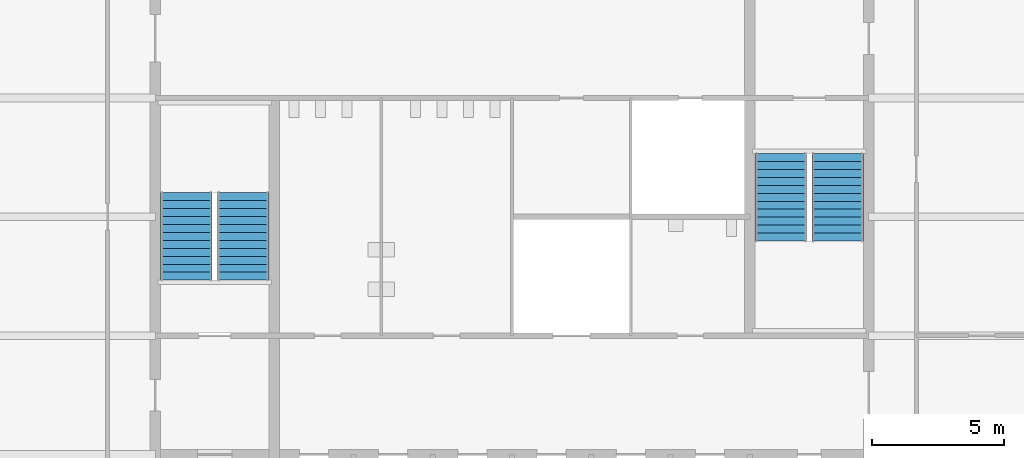
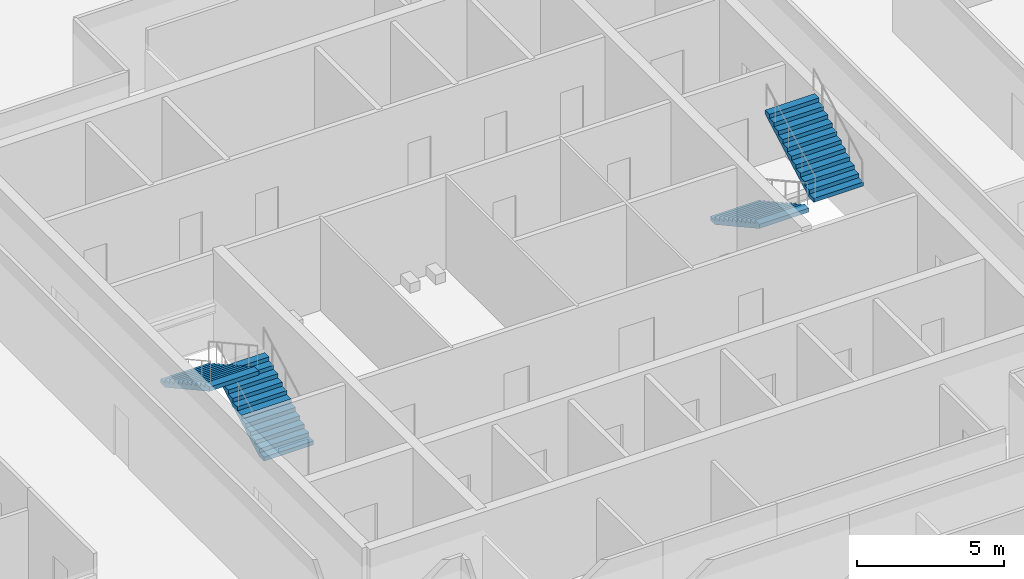
# One storey, part 12 of 14: 4 stair flights, 2 elements without a shape of their own.
"""IFC4 building model written with IfcOpenShell, lengths in metres."""

from ifc_helpers import new_model, si_unit, direction, frame, origin, place, context, subcontext, project, spatial, polyline, outline, extrude, material, type_object, element, aggregate, save


model = new_model("IFC4")

# Units and contexts
model_context = context("Model", 3, precision=1e-05, world=origin(), true_north=direction((0.0, 1.0)))
body_context = subcontext(model_context, "Body", "Model", "MODEL_VIEW")
ifc_project = project(units=[si_unit("LENGTHUNIT", "METRE"), si_unit("AREAUNIT", "SQUARE_METRE"), si_unit("VOLUMEUNIT", "CUBIC_METRE"), si_unit("PLANEANGLEUNIT", "RADIAN"), si_unit("MASSUNIT", "GRAM", prefix="KILO")], contexts=[model_context])

# Site, building, storey
site_placement = place(None, origin())
site = spatial("IfcSite", under=ifc_project, at=site_placement, CompositionType="ELEMENT")
building_placement = place(site_placement, origin())
building = spatial("IfcBuilding", under=site, at=building_placement, Name="Corais Broadcast Tower", CompositionType="ELEMENT")
storey_placement = place(building_placement, frame((0.0, 0.0, 234.60009765625)))
storey = spatial("IfcBuildingStorey", under=building, at=storey_placement, Name="L54", CompositionType="ELEMENT", Elevation=234.60009765625)

# Stair, stair flights
ifc_material_1 = material(Name="Concrete C30/37", Category="concrete")
stair_type = type_object("IfcStairType", Name="Half-turn stair 4000", PredefinedType="HALF_TURN_STAIR", material=ifc_material_1)
stair_1_placement = place(storey_placement, origin())
stair_1 = element("IfcStair", 1, at=stair_1_placement, inside=storey, type_object=stair_type, Name="Stair A L54", PredefinedType="HALF_TURN_STAIR")
ifc_material_2 = material(Name="Concrete C30/37", Category="concrete")
stair_flight_type = type_object("IfcStairFlightType", Name="Stair flight 4000", PredefinedType="STRAIGHT", material=ifc_material_2)
stair_flight_1_placement = place(storey_placement, frame((16.824951171875, 24.60009765625, 0.0), z_axis=(0.0, 0.0, 1.0), x_axis=(0.0, 1.0, 0.0)))
stair_flight_1 = element("IfcStairFlight", 2, at=stair_flight_1_placement, type_object=stair_flight_type, Name="STA flight 1", NumberOfRisers=12, NumberOfTreads=11, PredefinedType="STRAIGHT", RiserHeight=0.166666667, TreadLength=0.302, context=body_context, shape_type="SweptSolid", body=[
    extrude(outline(polyline([(0.0, 0.0), (0.0, 0.166748046875), (0.302001953125, 0.166748046875), (0.302001953125, 0.333251953125), (0.60400390625, 0.333251953125), (0.60400390625, 0.5), (0.906005859375, 0.5), (0.906005859375, 0.666748046875), (1.2080078125, 0.666748046875), (1.2080078125, 0.833251953125), (1.510009765625, 0.833251953125), (1.510009765625, 1.0), (1.81201171875, 1.0), (1.81201171875, 1.166748046875), (2.114013671875, 1.166748046875), (2.114013671875, 1.333251953125), (2.416015625, 1.333251953125), (2.416015625, 1.5), (2.718017578125, 1.5), (2.718017578125, 1.666748046875), (3.02001953125, 1.666748046875), (3.02001953125, 1.833251953125), (3.322021484375, 1.833251953125), (3.322021484375, 2.0), (3.322021484375, 1.662109375), (0.310302734375, 0.0), (0.0, 0.0)])), frame((0.0, 0.97509765625, 0.0), z_axis=(0.0, -1.0, 0.0), x_axis=(1.0, 0.0, 0.0)), (0.0, 0.0, 1.0), 1.949951171875),
])
stair_flight_2_placement = place(storey_placement, frame((14.675048828125, 27.922119140625, 2.0), z_axis=(0.0, 0.0, 1.0), x_axis=(0.0, -1.0, 0.0)))
stair_flight_2 = element("IfcStairFlight", 3, at=stair_flight_2_placement, type_object=stair_flight_type, Name="STA flight 2", NumberOfRisers=12, NumberOfTreads=11, PredefinedType="STRAIGHT", RiserHeight=0.166666667, TreadLength=0.302, context=body_context, shape_type="SweptSolid", body=[
    extrude(outline(polyline([(0.0, 0.0), (0.0, 0.166748046875), (0.302001953125, 0.166748046875), (0.302001953125, 0.333251953125), (0.60400390625, 0.333251953125), (0.60400390625, 0.5), (0.906005859375, 0.5), (0.906005859375, 0.666748046875), (1.2080078125, 0.666748046875), (1.2080078125, 0.833251953125), (1.510009765625, 0.833251953125), (1.510009765625, 1.0), (1.81201171875, 1.0), (1.81201171875, 1.166748046875), (2.114013671875, 1.166748046875), (2.114013671875, 1.333251953125), (2.416015625, 1.333251953125), (2.416015625, 1.5), (2.718017578125, 1.5), (2.718017578125, 1.666748046875), (3.02001953125, 1.666748046875), (3.02001953125, 1.833251953125), (3.322021484375, 1.833251953125), (3.322021484375, 2.0), (3.322021484375, 1.662109375), (0.310302734375, 0.0), (0.0, 0.0)])), frame((0.0, 0.97509765625, 0.0), z_axis=(0.0, -1.0, 0.0), x_axis=(1.0, 0.0, 0.0)), (0.0, 0.0, 1.0), 1.949951171875),
])
aggregate(stair_1, [stair_flight_1, stair_flight_2])

stair_2_placement = place(storey_placement, origin())
stair_2 = element("IfcStair", 4, at=stair_2_placement, inside=storey, type_object=stair_type, Name="Stair B L54", PredefinedType="HALF_TURN_STAIR")
stair_flight_3_placement = place(storey_placement, frame((37.175048828125, 29.39990234375, 0.0), z_axis=(0.0, 0.0, 1.0), x_axis=(0.0, -1.0, 0.0)))
stair_flight_3 = element("IfcStairFlight", 5, at=stair_flight_3_placement, type_object=stair_flight_type, Name="STB flight 1", NumberOfRisers=12, NumberOfTreads=11, PredefinedType="STRAIGHT", RiserHeight=0.166666667, TreadLength=0.302, context=body_context, shape_type="SweptSolid", body=[
    extrude(outline(polyline([(0.0, 0.0), (0.0, 0.166748046875), (0.302001953125, 0.166748046875), (0.302001953125, 0.333251953125), (0.60400390625, 0.333251953125), (0.60400390625, 0.5), (0.906005859375, 0.5), (0.906005859375, 0.666748046875), (1.2080078125, 0.666748046875), (1.2080078125, 0.833251953125), (1.510009765625, 0.833251953125), (1.510009765625, 1.0), (1.81201171875, 1.0), (1.81201171875, 1.166748046875), (2.114013671875, 1.166748046875), (2.114013671875, 1.333251953125), (2.416015625, 1.333251953125), (2.416015625, 1.5), (2.718017578125, 1.5), (2.718017578125, 1.666748046875), (3.02001953125, 1.666748046875), (3.02001953125, 1.833251953125), (3.322021484375, 1.833251953125), (3.322021484375, 2.0), (3.322021484375, 1.662109375), (0.310302734375, 0.0), (0.0, 0.0)])), frame((0.0, 0.97509765625, 0.0), z_axis=(0.0, -1.0, 0.0), x_axis=(1.0, 0.0, 0.0)), (0.0, 0.0, 1.0), 1.949951171875),
])
stair_flight_4_placement = place(storey_placement, frame((39.324951171875, 26.077880859375, 2.0), z_axis=(0.0, 0.0, 1.0), x_axis=(0.0, 1.0, 0.0)))
stair_flight_4 = element("IfcStairFlight", 6, at=stair_flight_4_placement, type_object=stair_flight_type, Name="STB flight 2", NumberOfRisers=12, NumberOfTreads=11, PredefinedType="STRAIGHT", RiserHeight=0.166666667, TreadLength=0.302, context=body_context, shape_type="SweptSolid", body=[
    extrude(outline(polyline([(0.0, 0.0), (0.0, 0.166748046875), (0.302001953125, 0.166748046875), (0.302001953125, 0.333251953125), (0.60400390625, 0.333251953125), (0.60400390625, 0.5), (0.906005859375, 0.5), (0.906005859375, 0.666748046875), (1.2080078125, 0.666748046875), (1.2080078125, 0.833251953125), (1.510009765625, 0.833251953125), (1.510009765625, 1.0), (1.81201171875, 1.0), (1.81201171875, 1.166748046875), (2.114013671875, 1.166748046875), (2.114013671875, 1.333251953125), (2.416015625, 1.333251953125), (2.416015625, 1.5), (2.718017578125, 1.5), (2.718017578125, 1.666748046875), (3.02001953125, 1.666748046875), (3.02001953125, 1.833251953125), (3.322021484375, 1.833251953125), (3.322021484375, 2.0), (3.322021484375, 1.662109375), (0.310302734375, 0.0), (0.0, 0.0)])), frame((0.0, 0.97509765625, 0.0), z_axis=(0.0, -1.0, 0.0), x_axis=(1.0, 0.0, 0.0)), (0.0, 0.0, 1.0), 1.949951171875),
])
aggregate(stair_2, [stair_flight_3, stair_flight_4])

save(model, "model.ifc")
